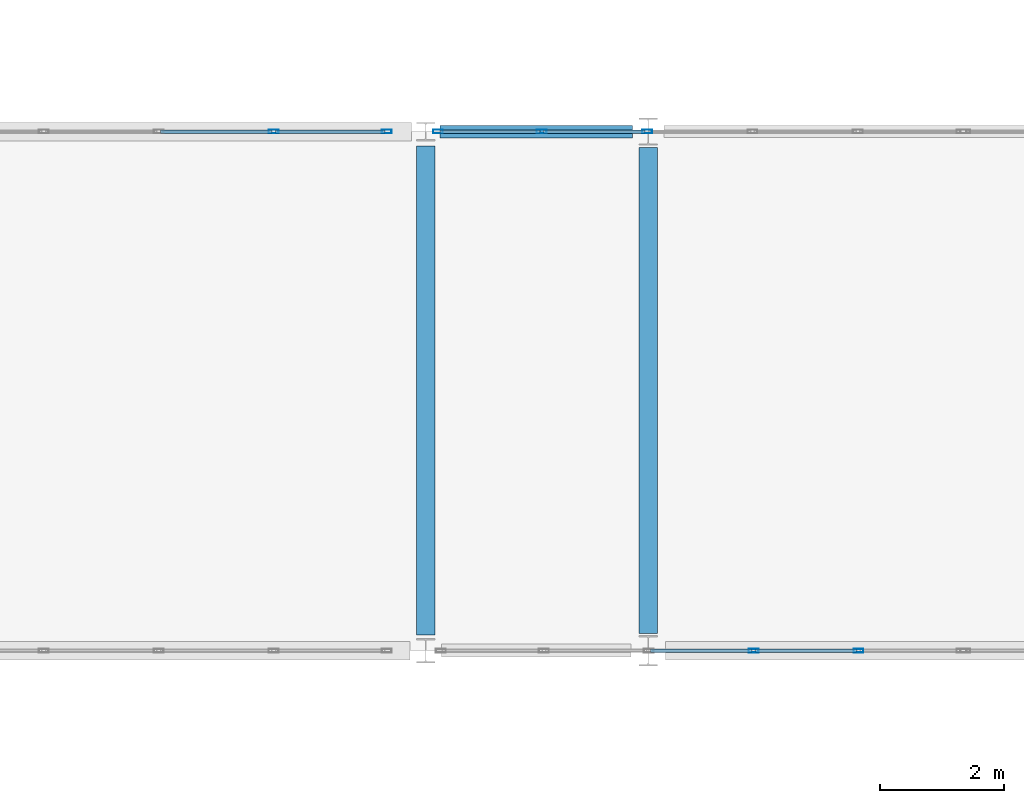
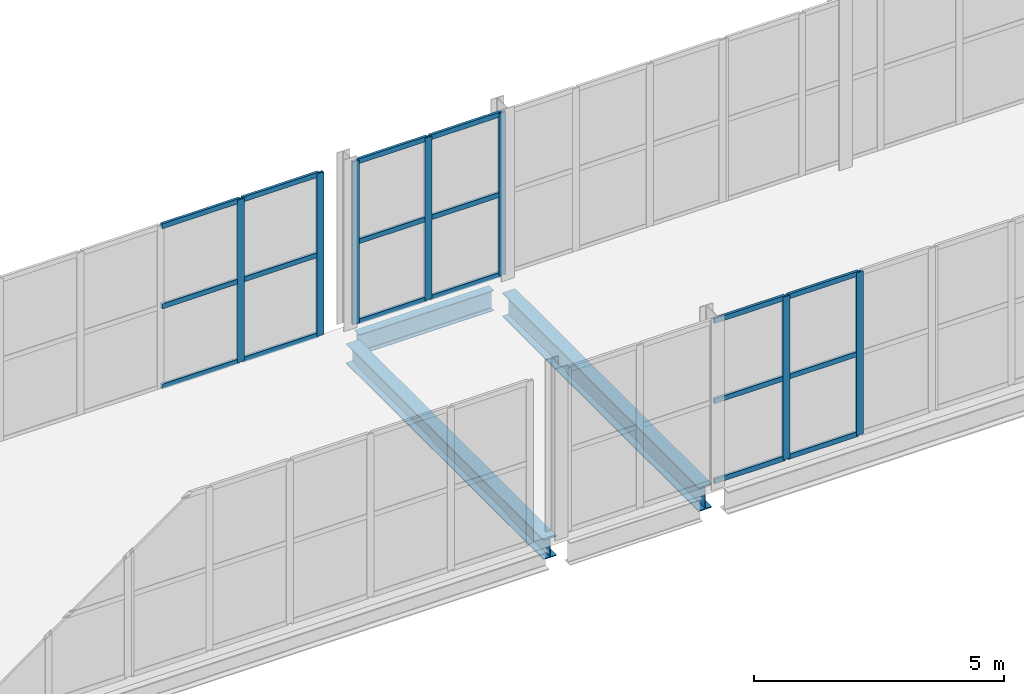
# One storey, part 65 of 121: 25 members, 3 beams, 3 elements without a shape of their own.
"""IFC4 building model written with IfcOpenShell, lengths in metres."""

from ifc_helpers import new_model, si_unit, direction, frame, origin, origin_2d, place, context, subcontext, project, spatial, hollow_rectangle, i_section, extrude, material, layer, layer_set, material_profile, profile_set, type_object, element, aggregate, save


model = new_model("IFC4")

# Units and contexts
model_context = context("Model", 3, precision=1e-05, world=origin(), true_north=direction((0.0, 1.0)))
body_context = subcontext(model_context, "Body", "Model", "MODEL_VIEW")
ifc_project = project(units=[si_unit("LENGTHUNIT", "METRE"), si_unit("AREAUNIT", "SQUARE_METRE"), si_unit("VOLUMEUNIT", "CUBIC_METRE"), si_unit("PLANEANGLEUNIT", "RADIAN"), si_unit("MASSUNIT", "GRAM", prefix="KILO")], contexts=[model_context])

# Site, building, storey
site_placement = place(None, origin())
site = spatial("IfcSite", under=ifc_project, at=site_placement, CompositionType="ELEMENT")
building_placement = place(site_placement, origin())
building = spatial("IfcBuilding", under=site, at=building_placement, Name="Vinh Khe Railworks Police Headquarters", CompositionType="ELEMENT")
storey_placement = place(building_placement, frame((0.0, 0.0, 4.800048828125)))
storey = spatial("IfcBuildingStorey", under=building, at=storey_placement, Name="L01", CompositionType="ELEMENT", Elevation=4.800048828125)

# Curtain wall, members
ifc_material_1 = material(Name="Anodised aluminium and solar-control glass", Category="aluminium")
ifc_layer = layer(ifc_material_1, 0.159912109375)
ifc_layer_set = layer_set([ifc_layer], Name="Anodised aluminium and solar-control glass")
curtain_wall_type = type_object("IfcCurtainWallType", Name="CW-SHOPFRONT", PredefinedType="USERDEFINED", material=ifc_layer_set)
curtain_wall_1_placement = place(storey_placement, origin())
curtain_wall_1 = element("IfcCurtainWall", 1, at=curtain_wall_1_placement, inside=storey, type_object=curtain_wall_type, Name="Link Bridge North Glazing L01 Bay 4", ObjectType="UNITISED GLAZING", PredefinedType="USERDEFINED")
ifc_material_2 = material(Name="Anodised aluminium 6063-T6", Category="aluminium")
ifc_material_profile_1 = material_profile(ifc_material_2, hollow_rectangle(XDim=0.06005859375, YDim=0.159912109375, WallThickness=0.00390625, at=origin_2d()), Name="CW-M 60x160x4")
ifc_profile_set_1 = profile_set([ifc_material_profile_1], Name="Anodised aluminium 6063-T6")
member_type_1 = type_object("IfcMemberType", Name="MULL-CWM-01", PredefinedType="MULLION", material=ifc_profile_set_1)
member_1_placement = place(storey_placement, frame((57.5400390625, 104.39990234375, 0.0), z_axis=(0.0, 0.0, 1.0), x_axis=(0.0, 1.0, 0.0)))
member_1 = element("IfcMember", 2, at=member_1_placement, type_object=member_type_1, Name="CW-03 mullion 5", PredefinedType="MULLION", context=body_context, shape_type="SweptSolid", body=[
    extrude(hollow_rectangle(XDim=0.06005859375, YDim=0.159912109375, WallThickness=0.00390625, at=origin_2d()), origin(), (0.0, 0.0, 1.0), 3.97998046875),
])
member_2_placement = place(storey_placement, frame((59.3701171875, 104.39990234375, 0.0), z_axis=(0.0, 0.0, 1.0), x_axis=(0.0, 1.0, 0.0)))
member_2 = element("IfcMember", 3, at=member_2_placement, type_object=member_type_1, Name="CW-03 mullion 6", PredefinedType="MULLION", context=body_context, shape_type="SweptSolid", body=[
    extrude(hollow_rectangle(XDim=0.06005859375, YDim=0.159912109375, WallThickness=0.00390625, at=origin_2d()), origin(), (0.0, 0.0, 1.0), 3.97998046875),
])

curtain_wall_2_placement = place(storey_placement, origin())
curtain_wall_2 = element("IfcCurtainWall", 4, at=curtain_wall_2_placement, inside=storey, type_object=curtain_wall_type, Name="Link Bridge South Glazing L01 Bay 5", ObjectType="UNITISED GLAZING", PredefinedType="USERDEFINED")
member_3_placement = place(storey_placement, frame((65.305908203125, 96.0, 0.0), z_axis=(0.0, 0.0, 1.0), x_axis=(0.0, 1.0, 0.0)))
member_3 = element("IfcMember", 5, at=member_3_placement, type_object=member_type_1, Name="CW-03 mullion 4", PredefinedType="MULLION", context=body_context, shape_type="SweptSolid", body=[
    extrude(hollow_rectangle(XDim=0.06005859375, YDim=0.159912109375, WallThickness=0.00390625, at=origin_2d()), origin(), (0.0, 0.0, 1.0), 3.97998046875),
])
member_4_placement = place(storey_placement, frame((67.0029296875, 96.0, 0.0), z_axis=(0.0, 0.0, 1.0), x_axis=(0.0, 1.0, 0.0)))
member_4 = element("IfcMember", 6, at=member_4_placement, type_object=member_type_1, Name="CW-03 mullion 5", PredefinedType="MULLION", context=body_context, shape_type="SweptSolid", body=[
    extrude(hollow_rectangle(XDim=0.06005859375, YDim=0.159912109375, WallThickness=0.00390625, at=origin_2d()), origin(), (0.0, 0.0, 1.0), 3.97998046875),
])

curtain_wall_3_placement = place(storey_placement, origin())
curtain_wall_3 = element("IfcCurtainWall", 7, at=curtain_wall_3_placement, inside=storey, type_object=curtain_wall_type, Name="Link Bridge North Glazing L01 Bay 5", ObjectType="UNITISED GLAZING", PredefinedType="USERDEFINED")
member_5_placement = place(storey_placement, frame((60.199951171875, 104.39990234375, 0.0), z_axis=(0.0, 0.0, 1.0), x_axis=(0.0, 1.0, 0.0)))
member_5 = element("IfcMember", 8, at=member_5_placement, type_object=member_type_1, Name="CW-03 mullion 1", PredefinedType="MULLION", context=body_context, shape_type="SweptSolid", body=[
    extrude(hollow_rectangle(XDim=0.06005859375, YDim=0.159912109375, WallThickness=0.00390625, at=origin_2d()), origin(), (0.0, 0.0, 1.0), 3.97998046875),
])
member_6_placement = place(storey_placement, frame((61.8759765625, 104.39990234375, 0.0), z_axis=(0.0, 0.0, 1.0), x_axis=(0.0, 1.0, 0.0)))
member_6 = element("IfcMember", 9, at=member_6_placement, type_object=member_type_1, Name="CW-03 mullion 2", PredefinedType="MULLION", context=body_context, shape_type="SweptSolid", body=[
    extrude(hollow_rectangle(XDim=0.06005859375, YDim=0.159912109375, WallThickness=0.00390625, at=origin_2d()), origin(), (0.0, 0.0, 1.0), 3.97998046875),
])
member_7_placement = place(storey_placement, frame((63.58203125, 104.39990234375, 0.0), z_axis=(0.0, 0.0, 1.0), x_axis=(0.0, 1.0, 0.0)))
member_7 = element("IfcMember", 10, at=member_7_placement, type_object=member_type_1, Name="CW-03 mullion 3", PredefinedType="MULLION", context=body_context, shape_type="SweptSolid", body=[
    extrude(hollow_rectangle(XDim=0.06005859375, YDim=0.159912109375, WallThickness=0.00390625, at=origin_2d()), origin(), (0.0, 0.0, 1.0), 3.97998046875),
])

# Beams
ifc_material_3 = material(Name="Steel S355JR", Category="steel")
ifc_material_profile_2 = material_profile(ifc_material_3, i_section(OverallWidth=0.300048828125, OverallDepth=0.489990234375, WebThickness=0.011962890625, FlangeThickness=0.02294921875, FilletRadius=0.027099609375, at=origin_2d()), Name="HEA 500")
ifc_profile_set_2 = profile_set([ifc_material_profile_2], Name="Steel S355JR")
beam_type_1 = type_object("IfcBeamType", Name="Steel Girder HEA 500", PredefinedType="BEAM", material=ifc_profile_set_2)
beam_1_placement = place(storey_placement, frame((60.0, 96.2548828125, -0.485107421875), z_axis=(0.0, 1.0, 0.0), x_axis=(-1.0, 0.0, 0.0)))
element("IfcBeam", 11, at=beam_1_placement, inside=storey, type_object=beam_type_1, Name="Girder BM-L01-NS-SB-12-0663", PredefinedType="BEAM", context=body_context, shape_type="SweptSolid", body=[
    extrude(i_section(OverallWidth=0.300048828125, OverallDepth=0.489990234375, WebThickness=0.011962890625, FlangeThickness=0.02294921875, FilletRadius=0.027099609375, at=origin_2d()), origin(), (0.0, 0.0, 1.0), 7.9150390625),
])
ifc_material_profile_3 = material_profile(ifc_material_3, i_section(OverallWidth=0.300048828125, OverallDepth=0.590087890625, WebThickness=0.012939453125, FlangeThickness=0.02490234375, FilletRadius=0.027099609375, at=origin_2d()), Name="HEA 600")
ifc_profile_set_3 = profile_set([ifc_material_profile_3], Name="Steel S355JR")
beam_type_2 = type_object("IfcBeamType", Name="Steel Girder HEA 600", PredefinedType="BEAM", material=ifc_profile_set_3)
beam_2_placement = place(storey_placement, frame((63.60009765625, 96.280029296875, -0.53515625), z_axis=(0.0, 1.0, 0.0), x_axis=(-1.0, 0.0, 0.0)))
element("IfcBeam", 12, at=beam_2_placement, inside=storey, type_object=beam_type_2, Name="Girder BM-L01-NS-SB-10-0667", PredefinedType="BEAM", context=body_context, shape_type="SweptSolid", body=[
    extrude(i_section(OverallWidth=0.300048828125, OverallDepth=0.590087890625, WebThickness=0.012939453125, FlangeThickness=0.02490234375, FilletRadius=0.027099609375, at=origin_2d()), origin(), (0.0, 0.0, 1.0), 7.864990234375),
])
ifc_material_profile_4 = material_profile(ifc_material_3, i_section(OverallWidth=0.199951171875, OverallDepth=0.5, WebThickness=0.01025390625, FlangeThickness=0.01611328125, FilletRadius=0.02099609375, at=origin_2d()), Name="IPE 500")
ifc_profile_set_4 = profile_set([ifc_material_profile_4], Name="Steel S355JR")
beam_type_3 = type_object("IfcBeamType", Name="Steel Girder IPE 500", PredefinedType="BEAM", material=ifc_profile_set_4)
beam_3_placement = place(storey_placement, frame((60.22998046875, 104.39990234375, -0.489990234375), z_axis=(1.0, 0.0, 0.0), x_axis=(0.0, 1.0, 0.0)))
element("IfcBeam", 13, at=beam_3_placement, inside=storey, type_object=beam_type_3, Name="Girder BM-L01-EW-SB-19-0497", PredefinedType="BEAM", context=body_context, shape_type="SweptSolid", body=[
    extrude(i_section(OverallWidth=0.199951171875, OverallDepth=0.5, WebThickness=0.01025390625, FlangeThickness=0.01611328125, FilletRadius=0.02099609375, at=origin_2d()), origin(), (0.0, 0.0, 1.0), 3.114990234375),
])

# Member
ifc_material_profile_5 = material_profile(ifc_material_2, hollow_rectangle(XDim=0.06005859375, YDim=0.1201171875, WallThickness=0.00390625, at=origin_2d()), Name="CW-T 60x120x4")
ifc_profile_set_5 = profile_set([ifc_material_profile_5], Name="Anodised aluminium 6063-T6")
member_type_2 = type_object("IfcMemberType", Name="TRAN-CWT-01", PredefinedType="USERDEFINED", material=ifc_profile_set_5)
member_8_placement = place(storey_placement, frame((55.7099609375, 104.39990234375, 0.030029296875), z_axis=(1.0, 0.0, 0.0), x_axis=(0.0, 1.0, 0.0)))
member_8 = element("IfcMember", 14, at=member_8_placement, type_object=member_type_2, Name="CW-03 transom 4.1", ObjectType="TRANSOM", PredefinedType="USERDEFINED", context=body_context, shape_type="SweptSolid", body=[
    extrude(hollow_rectangle(XDim=0.06005859375, YDim=0.1201171875, WallThickness=0.00390625, at=origin_2d()), origin(), (0.0, 0.0, 1.0), 1.800048828125),
])

member_9_placement = place(storey_placement, frame((55.7099609375, 104.39990234375, 1.989990234375), z_axis=(1.0, 0.0, 0.0), x_axis=(0.0, 1.0, 0.0)))
member_9 = element("IfcMember", 15, at=member_9_placement, type_object=member_type_2, Name="CW-03 transom 4.2", ObjectType="TRANSOM", PredefinedType="USERDEFINED", context=body_context, shape_type="SweptSolid", body=[
    extrude(hollow_rectangle(XDim=0.06005859375, YDim=0.1201171875, WallThickness=0.00390625, at=origin_2d()), origin(), (0.0, 0.0, 1.0), 1.800048828125),
])

member_10_placement = place(storey_placement, frame((55.7099609375, 104.39990234375, 3.949951171875), z_axis=(1.0, 0.0, 0.0), x_axis=(0.0, 1.0, 0.0)))
member_10 = element("IfcMember", 16, at=member_10_placement, type_object=member_type_2, Name="CW-03 transom 4.3", ObjectType="TRANSOM", PredefinedType="USERDEFINED", context=body_context, shape_type="SweptSolid", body=[
    extrude(hollow_rectangle(XDim=0.06005859375, YDim=0.1201171875, WallThickness=0.00390625, at=origin_2d()), origin(), (0.0, 0.0, 1.0), 1.800048828125),
])

member_11_placement = place(storey_placement, frame((57.570068359375, 104.39990234375, 0.030029296875), z_axis=(1.0, 0.0, 0.0), x_axis=(0.0, 1.0, 0.0)))
member_11 = element("IfcMember", 17, at=member_11_placement, type_object=member_type_2, Name="CW-03 transom 5.1", ObjectType="TRANSOM", PredefinedType="USERDEFINED", context=body_context, shape_type="SweptSolid", body=[
    extrude(hollow_rectangle(XDim=0.06005859375, YDim=0.1201171875, WallThickness=0.00390625, at=origin_2d()), origin(), (0.0, 0.0, 1.0), 1.77001953125),
])

member_12_placement = place(storey_placement, frame((57.570068359375, 104.39990234375, 1.989990234375), z_axis=(1.0, 0.0, 0.0), x_axis=(0.0, 1.0, 0.0)))
member_12 = element("IfcMember", 18, at=member_12_placement, type_object=member_type_2, Name="CW-03 transom 5.2", ObjectType="TRANSOM", PredefinedType="USERDEFINED", context=body_context, shape_type="SweptSolid", body=[
    extrude(hollow_rectangle(XDim=0.06005859375, YDim=0.1201171875, WallThickness=0.00390625, at=origin_2d()), origin(), (0.0, 0.0, 1.0), 1.77001953125),
])

member_13_placement = place(storey_placement, frame((57.570068359375, 104.39990234375, 3.949951171875), z_axis=(1.0, 0.0, 0.0), x_axis=(0.0, 1.0, 0.0)))
member_13 = element("IfcMember", 19, at=member_13_placement, type_object=member_type_2, Name="CW-03 transom 5.3", ObjectType="TRANSOM", PredefinedType="USERDEFINED", context=body_context, shape_type="SweptSolid", body=[
    extrude(hollow_rectangle(XDim=0.06005859375, YDim=0.1201171875, WallThickness=0.00390625, at=origin_2d()), origin(), (0.0, 0.0, 1.0), 1.77001953125),
])

aggregate(curtain_wall_1, [member_1, member_2, member_8, member_9, member_10, member_11, member_12, member_13])

member_14_placement = place(storey_placement, frame((63.638916015625, 96.0, 0.030029296875), z_axis=(1.0, 0.0, 0.0), x_axis=(0.0, 1.0, 0.0)))
member_14 = element("IfcMember", 20, at=member_14_placement, type_object=member_type_2, Name="CW-03 transom 3.1", ObjectType="TRANSOM", PredefinedType="USERDEFINED", context=body_context, shape_type="SweptSolid", body=[
    extrude(hollow_rectangle(XDim=0.06005859375, YDim=0.1201171875, WallThickness=0.00390625, at=origin_2d()), origin(), (0.0, 0.0, 1.0), 1.636962890625),
])

member_15_placement = place(storey_placement, frame((63.638916015625, 96.0, 1.989990234375), z_axis=(1.0, 0.0, 0.0), x_axis=(0.0, 1.0, 0.0)))
member_15 = element("IfcMember", 21, at=member_15_placement, type_object=member_type_2, Name="CW-03 transom 3.2", ObjectType="TRANSOM", PredefinedType="USERDEFINED", context=body_context, shape_type="SweptSolid", body=[
    extrude(hollow_rectangle(XDim=0.06005859375, YDim=0.1201171875, WallThickness=0.00390625, at=origin_2d()), origin(), (0.0, 0.0, 1.0), 1.636962890625),
])

member_16_placement = place(storey_placement, frame((63.638916015625, 96.0, 3.949951171875), z_axis=(1.0, 0.0, 0.0), x_axis=(0.0, 1.0, 0.0)))
member_16 = element("IfcMember", 22, at=member_16_placement, type_object=member_type_2, Name="CW-03 transom 3.3", ObjectType="TRANSOM", PredefinedType="USERDEFINED", context=body_context, shape_type="SweptSolid", body=[
    extrude(hollow_rectangle(XDim=0.06005859375, YDim=0.1201171875, WallThickness=0.00390625, at=origin_2d()), origin(), (0.0, 0.0, 1.0), 1.636962890625),
])

member_17_placement = place(storey_placement, frame((65.3359375, 96.0, 0.030029296875), z_axis=(1.0, 0.0, 0.0), x_axis=(0.0, 1.0, 0.0)))
member_17 = element("IfcMember", 23, at=member_17_placement, type_object=member_type_2, Name="CW-03 transom 4.1", ObjectType="TRANSOM", PredefinedType="USERDEFINED", context=body_context, shape_type="SweptSolid", body=[
    extrude(hollow_rectangle(XDim=0.06005859375, YDim=0.1201171875, WallThickness=0.00390625, at=origin_2d()), origin(), (0.0, 0.0, 1.0), 1.636962890625),
])

member_18_placement = place(storey_placement, frame((65.3359375, 96.0, 1.989990234375), z_axis=(1.0, 0.0, 0.0), x_axis=(0.0, 1.0, 0.0)))
member_18 = element("IfcMember", 24, at=member_18_placement, type_object=member_type_2, Name="CW-03 transom 4.2", ObjectType="TRANSOM", PredefinedType="USERDEFINED", context=body_context, shape_type="SweptSolid", body=[
    extrude(hollow_rectangle(XDim=0.06005859375, YDim=0.1201171875, WallThickness=0.00390625, at=origin_2d()), origin(), (0.0, 0.0, 1.0), 1.636962890625),
])

member_19_placement = place(storey_placement, frame((65.3359375, 96.0, 3.949951171875), z_axis=(1.0, 0.0, 0.0), x_axis=(0.0, 1.0, 0.0)))
member_19 = element("IfcMember", 25, at=member_19_placement, type_object=member_type_2, Name="CW-03 transom 4.3", ObjectType="TRANSOM", PredefinedType="USERDEFINED", context=body_context, shape_type="SweptSolid", body=[
    extrude(hollow_rectangle(XDim=0.06005859375, YDim=0.1201171875, WallThickness=0.00390625, at=origin_2d()), origin(), (0.0, 0.0, 1.0), 1.636962890625),
])

aggregate(curtain_wall_2, [member_3, member_4, member_14, member_15, member_16, member_17, member_18, member_19])

member_20_placement = place(storey_placement, frame((60.22998046875, 104.39990234375, 0.030029296875), z_axis=(1.0, 0.0, 0.0), x_axis=(0.0, 1.0, 0.0)))
member_20 = element("IfcMember", 26, at=member_20_placement, type_object=member_type_2, Name="CW-03 transom 1.1", ObjectType="TRANSOM", PredefinedType="USERDEFINED", context=body_context, shape_type="SweptSolid", body=[
    extrude(hollow_rectangle(XDim=0.06005859375, YDim=0.1201171875, WallThickness=0.00390625, at=origin_2d()), origin(), (0.0, 0.0, 1.0), 1.615966796875),
])

member_21_placement = place(storey_placement, frame((60.22998046875, 104.39990234375, 1.989990234375), z_axis=(1.0, 0.0, 0.0), x_axis=(0.0, 1.0, 0.0)))
member_21 = element("IfcMember", 27, at=member_21_placement, type_object=member_type_2, Name="CW-03 transom 1.2", ObjectType="TRANSOM", PredefinedType="USERDEFINED", context=body_context, shape_type="SweptSolid", body=[
    extrude(hollow_rectangle(XDim=0.06005859375, YDim=0.1201171875, WallThickness=0.00390625, at=origin_2d()), origin(), (0.0, 0.0, 1.0), 1.615966796875),
])

member_22_placement = place(storey_placement, frame((60.22998046875, 104.39990234375, 3.949951171875), z_axis=(1.0, 0.0, 0.0), x_axis=(0.0, 1.0, 0.0)))
member_22 = element("IfcMember", 28, at=member_22_placement, type_object=member_type_2, Name="CW-03 transom 1.3", ObjectType="TRANSOM", PredefinedType="USERDEFINED", context=body_context, shape_type="SweptSolid", body=[
    extrude(hollow_rectangle(XDim=0.06005859375, YDim=0.1201171875, WallThickness=0.00390625, at=origin_2d()), origin(), (0.0, 0.0, 1.0), 1.615966796875),
])

member_23_placement = place(storey_placement, frame((61.906005859375, 104.39990234375, 0.030029296875), z_axis=(1.0, 0.0, 0.0), x_axis=(0.0, 1.0, 0.0)))
member_23 = element("IfcMember", 29, at=member_23_placement, type_object=member_type_2, Name="CW-03 transom 2.1", ObjectType="TRANSOM", PredefinedType="USERDEFINED", context=body_context, shape_type="SweptSolid", body=[
    extrude(hollow_rectangle(XDim=0.06005859375, YDim=0.1201171875, WallThickness=0.00390625, at=origin_2d()), origin(), (0.0, 0.0, 1.0), 1.64599609375),
])

member_24_placement = place(storey_placement, frame((61.906005859375, 104.39990234375, 1.989990234375), z_axis=(1.0, 0.0, 0.0), x_axis=(0.0, 1.0, 0.0)))
member_24 = element("IfcMember", 30, at=member_24_placement, type_object=member_type_2, Name="CW-03 transom 2.2", ObjectType="TRANSOM", PredefinedType="USERDEFINED", context=body_context, shape_type="SweptSolid", body=[
    extrude(hollow_rectangle(XDim=0.06005859375, YDim=0.1201171875, WallThickness=0.00390625, at=origin_2d()), origin(), (0.0, 0.0, 1.0), 1.64599609375),
])

member_25_placement = place(storey_placement, frame((61.906005859375, 104.39990234375, 3.949951171875), z_axis=(1.0, 0.0, 0.0), x_axis=(0.0, 1.0, 0.0)))
member_25 = element("IfcMember", 31, at=member_25_placement, type_object=member_type_2, Name="CW-03 transom 2.3", ObjectType="TRANSOM", PredefinedType="USERDEFINED", context=body_context, shape_type="SweptSolid", body=[
    extrude(hollow_rectangle(XDim=0.06005859375, YDim=0.1201171875, WallThickness=0.00390625, at=origin_2d()), origin(), (0.0, 0.0, 1.0), 1.64599609375),
])

aggregate(curtain_wall_3, [member_5, member_6, member_7, member_20, member_21, member_22, member_23, member_24, member_25])

save(model, "model.ifc")
